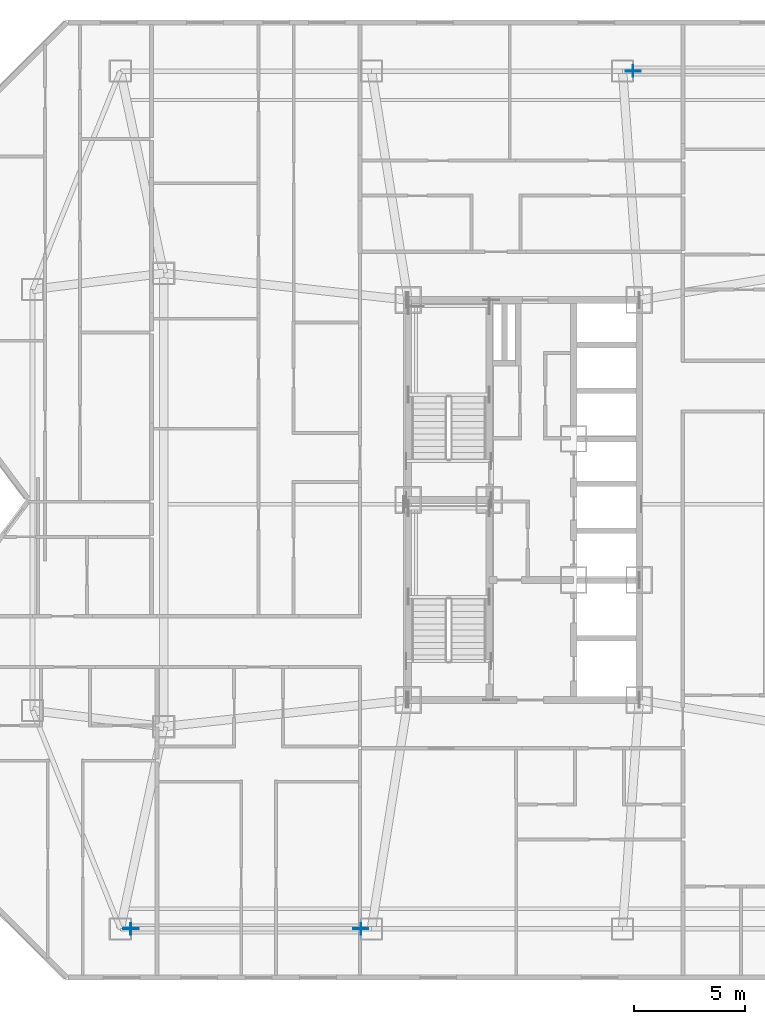
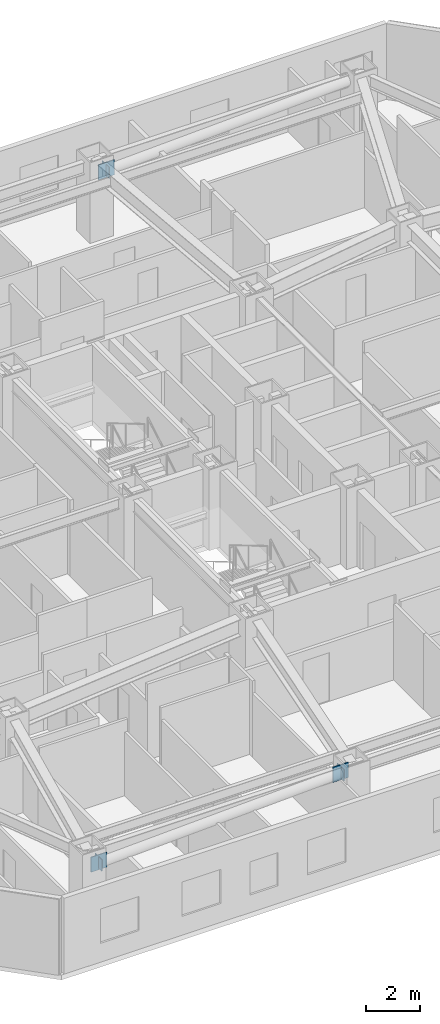
# One storey, part 3 of 13: 6 plates.
"""IFC4 building model written with IfcOpenShell, lengths in metres."""

from ifc_helpers import new_model, si_unit, direction, frame, origin, origin_2d, place, context, subcontext, project, spatial, rectangle, extrude, material, layer, layer_set, type_object, element, save


model = new_model("IFC4")

# Units and contexts
model_context = context("Model", 3, precision=1e-05, world=origin(), true_north=direction((0.0, 1.0)))
body_context = subcontext(model_context, "Body", "Model", "MODEL_VIEW")
ifc_project = project(units=[si_unit("LENGTHUNIT", "METRE"), si_unit("AREAUNIT", "SQUARE_METRE"), si_unit("VOLUMEUNIT", "CUBIC_METRE"), si_unit("PLANEANGLEUNIT", "RADIAN"), si_unit("MASSUNIT", "GRAM", prefix="KILO")], contexts=[model_context])

# Site, building, storey
site_placement = place(None, origin())
site = spatial("IfcSite", under=ifc_project, at=site_placement, CompositionType="ELEMENT")
building_placement = place(site_placement, origin())
building = spatial("IfcBuilding", under=site, at=building_placement, Name="Khamvora Tower", CompositionType="ELEMENT")
storey_placement = place(building_placement, frame((0.0, 0.0, 105.550048828125)))
storey = spatial("IfcBuildingStorey", under=building, at=storey_placement, Name="L26", CompositionType="ELEMENT", Elevation=105.550048828125)

# Plates
ifc_material_1 = material(Name="Steel S355", Category="steel")
ifc_layer_1 = layer(ifc_material_1, 0.02490234375)
ifc_layer_set_1 = layer_set([ifc_layer_1], Name="Steel S355")
plate_type_1 = type_object("IfcPlateType", Name="PL-CAP-25", PredefinedType="SHEET", material=ifc_layer_set_1)
for number, where, z_axis, x_axis, name in (
    (1, (16.51806640625, 8.699951171875, 2.4404296875), (0.0, 0.0, 1.0), (1.0, 0.0, 0.0), "L26 hollow section steel end cap plate 0748"),
    (2, (26.882080078125, 8.699951171875, 2.884521484375), (0.0, 0.0, 1.0), (1.0, 0.0, 0.0), "L26 hollow section steel end cap plate 0749"),
    (3, (39.117919921875, 47.300048828125, 2.4404296875), (0.0, 0.0, 1.0), (1.0, 0.0, 0.0), "L26 hollow section steel end cap plate 0750"),
):
    element("IfcPlate", number, at=place(storey_placement, frame(where, z_axis=z_axis, x_axis=x_axis)), inside=storey, type_object=plate_type_1, Name=name, PredefinedType="SHEET", context=body_context, shape_type="SweptSolid", body=[
        extrude(rectangle(XDim=0.02490234375, YDim=0.51708984375, at=origin_2d()), origin(), (0.0, 0.0, 1.0), 0.51708984375),
    ])
ifc_material_2 = material(Name="Steel S460", Category="steel")
ifc_layer_2 = layer(ifc_material_2, 0.0400390625)
ifc_layer_set_2 = layer_set([ifc_layer_2], Name="Steel S460")
plate_type_2 = type_object("IfcPlateType", Name="PLT-GUS-40", PredefinedType="SHEET", material=ifc_layer_set_2)
for number, where, z_axis, x_axis, name in (
    (4, (16.530029296875, 8.699951171875, 2.35986328125), (0.0, 0.0, 1.0), (1.0, 0.0, 0.0), "L26 brace connection node gusset plate 0181"),
    (5, (26.8701171875, 8.699951171875, 2.8017578125), (0.0, 0.0, 1.0), (1.0, 0.0, 0.0), "L26 brace connection node gusset plate 0182"),
    (6, (39.1298828125, 47.300048828125, 2.35986328125), (0.0, 0.0, 1.0), (1.0, 0.0, 0.0), "L26 brace connection node gusset plate 0183"),
):
    element("IfcPlate", number, at=place(storey_placement, frame(where, z_axis=z_axis, x_axis=x_axis)), inside=storey, type_object=plate_type_2, Name=name, PredefinedType="SHEET", context=body_context, shape_type="SweptSolid", body=[
        extrude(rectangle(XDim=0.679931640625, YDim=0.0400390625, at=origin_2d()), origin(), (0.0, 0.0, 1.0), 0.679931640625),
    ])

save(model, "model.ifc")
